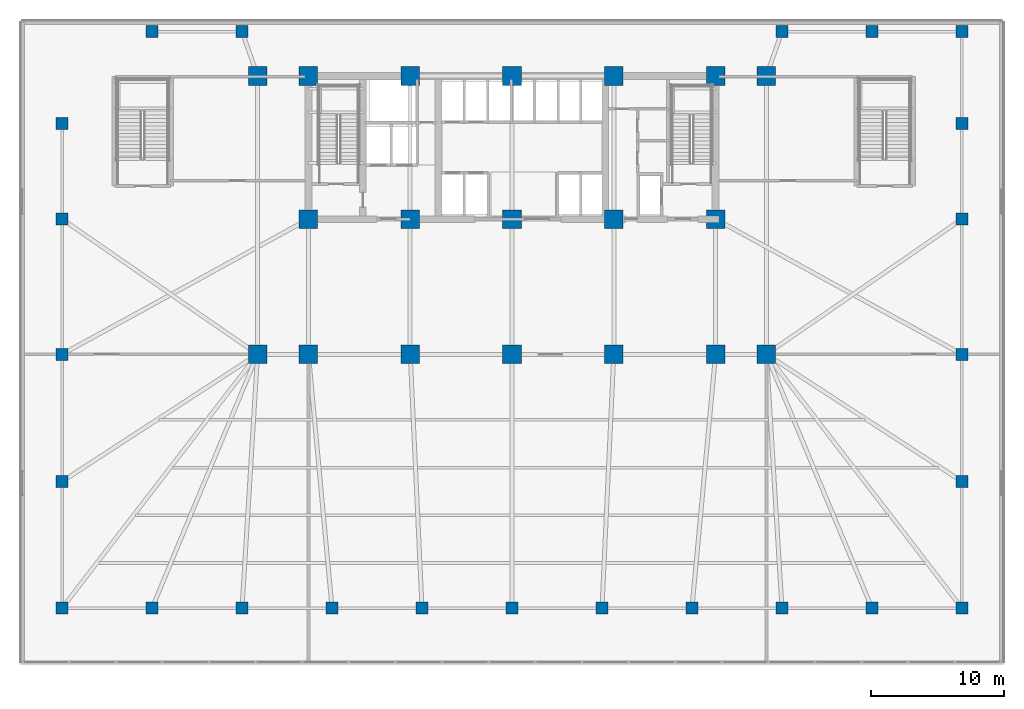
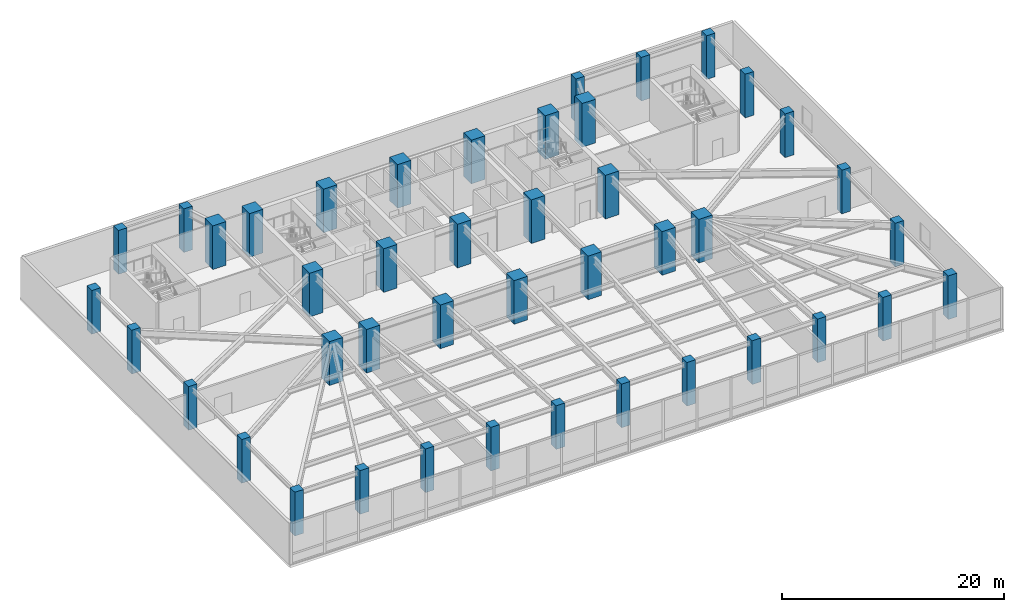
# One storey, part 1 of 19: 43 columns.
"""IFC4 building model written with IfcOpenShell, lengths in metres."""

from ifc_helpers import new_model, si_unit, direction, frame, origin, origin_2d, place, context, subcontext, project, spatial, rectangle, extrude, material, material_profile, profile_set, type_object, element, save


model = new_model("IFC4")

# Units and contexts
model_context = context("Model", 3, precision=1e-05, world=origin(), true_north=direction((0.0, 1.0)))
body_context = subcontext(model_context, "Body", "Model", "MODEL_VIEW")
ifc_project = project(units=[si_unit("LENGTHUNIT", "METRE"), si_unit("AREAUNIT", "SQUARE_METRE"), si_unit("VOLUMEUNIT", "CUBIC_METRE"), si_unit("PLANEANGLEUNIT", "RADIAN"), si_unit("MASSUNIT", "GRAM", prefix="KILO")], contexts=[model_context])

# Site, building, storey
site_placement = place(None, origin())
site = spatial("IfcSite", under=ifc_project, at=site_placement, CompositionType="ELEMENT")
building_placement = place(site_placement, origin())
building = spatial("IfcBuilding", under=site, at=building_placement, Name="Yelkora Congress Tower", CompositionType="ELEMENT")
storey_placement = place(building_placement, frame((0.0, 0.0, 15.60009765625)))
storey = spatial("IfcBuildingStorey", under=building, at=storey_placement, Name="L03", CompositionType="ELEMENT", Elevation=15.60009765625)

# Columns
ifc_material_1 = material(Name="Concrete C60/75", Category="concrete")
ifc_material_profile_1 = material_profile(ifc_material_1, rectangle(XDim=1.39990234375, YDim=1.39990234375, at=origin_2d()), Name="RC 1400x1400")
ifc_profile_set_1 = profile_set([ifc_material_profile_1], Name="Concrete C60/75")
column_type_1 = type_object("IfcColumnType", Name="COL-RC-1400", PredefinedType="COLUMN", material=ifc_profile_set_1)
for number, where, z_axis, x_axis, name in (
    (1, (23.0400390625, 35.39990234375, 0.0), (0.0, 0.0, 1.0), (1.0, 0.0, 0.0), "L03 Mega Column MC-S1"),
    (2, (23.0400390625, 46.199951171875, 0.0), (0.0, 0.0, 1.0), (1.0, 0.0, 0.0), "L03 Mega Column MC-N1"),
    (3, (23.0400390625, 25.199951171875, 0.0), (0.0, 0.0, 1.0), (1.0, 0.0, 0.0), "L03 Mega Column MC-D1"),
    (4, (30.719970703125, 35.39990234375, 0.0), (0.0, 0.0, 1.0), (1.0, 0.0, 0.0), "L03 Mega Column MC-S2"),
    (5, (30.719970703125, 46.199951171875, 0.0), (0.0, 0.0, 1.0), (1.0, 0.0, 0.0), "L03 Mega Column MC-N2"),
    (6, (30.719970703125, 25.199951171875, 0.0), (0.0, 0.0, 1.0), (1.0, 0.0, 0.0), "L03 Mega Column MC-D2"),
    (7, (38.39990234375, 35.39990234375, 0.0), (0.0, 0.0, 1.0), (1.0, 0.0, 0.0), "L03 Mega Column MC-S3"),
    (8, (38.39990234375, 46.199951171875, 0.0), (0.0, 0.0, 1.0), (1.0, 0.0, 0.0), "L03 Mega Column MC-N3"),
    (9, (38.39990234375, 25.199951171875, 0.0), (0.0, 0.0, 1.0), (1.0, 0.0, 0.0), "L03 Mega Column MC-D3"),
    (10, (46.080078125, 35.39990234375, 0.0), (0.0, 0.0, 1.0), (1.0, 0.0, 0.0), "L03 Mega Column MC-S4"),
    (11, (46.080078125, 46.199951171875, 0.0), (0.0, 0.0, 1.0), (1.0, 0.0, 0.0), "L03 Mega Column MC-N4"),
    (12, (46.080078125, 25.199951171875, 0.0), (0.0, 0.0, 1.0), (1.0, 0.0, 0.0), "L03 Mega Column MC-D4"),
    (13, (53.760009765625, 35.39990234375, 0.0), (0.0, 0.0, 1.0), (1.0, 0.0, 0.0), "L03 Mega Column MC-S5"),
    (14, (53.760009765625, 46.199951171875, 0.0), (0.0, 0.0, 1.0), (1.0, 0.0, 0.0), "L03 Mega Column MC-N5"),
    (15, (53.760009765625, 25.199951171875, 0.0), (0.0, 0.0, 1.0), (1.0, 0.0, 0.0), "L03 Mega Column MC-D5"),
    (16, (19.199951171875, 25.199951171875, 0.0), (0.0, 0.0, 1.0), (1.0, 0.0, 0.0), "L03 Mega Column MC-F1"),
    (17, (57.60009765625, 25.199951171875, 0.0), (0.0, 0.0, 1.0), (1.0, 0.0, 0.0), "L03 Mega Column MC-F2"),
    (18, (19.199951171875, 46.199951171875, 0.0), (0.0, 0.0, 1.0), (1.0, 0.0, 0.0), "L03 Mega Column MC-F3"),
    (19, (57.60009765625, 46.199951171875, 0.0), (0.0, 0.0, 1.0), (1.0, 0.0, 0.0), "L03 Mega Column MC-F4"),
):
    element("IfcColumn", number, at=place(storey_placement, frame(where, z_axis=z_axis, x_axis=x_axis)), inside=storey, type_object=column_type_1, Name=name, PredefinedType="COLUMN", context=body_context, shape_type="SweptSolid", body=[
        extrude(rectangle(XDim=1.39990234375, YDim=1.39990234375, at=origin_2d()), origin(), (0.0, 0.0, 1.0), 4.7998046875),
    ])
ifc_material_2 = material(Name="Concrete C50/60", Category="concrete")
ifc_material_profile_2 = material_profile(ifc_material_2, rectangle(XDim=0.89990234375, YDim=0.89990234375, at=origin_2d()), Name="RC 900x900")
ifc_profile_set_2 = profile_set([ifc_material_profile_2], Name="Concrete C50/60")
column_type_2 = type_object("IfcColumnType", Name="COL-RC-900", PredefinedType="COLUMN", material=ifc_profile_set_2)
for number, where, z_axis, x_axis, name in (
    (20, (4.449951171875, 6.050048828125, 0.0), (0.0, 0.0, 1.0), (1.0, 0.0, 0.0), "L03 Podium Column PS01"),
    (21, (11.239990234375, 6.050048828125, 0.0), (0.0, 0.0, 1.0), (1.0, 0.0, 0.0), "L03 Podium Column PS02"),
    (22, (11.239990234375, 49.550048828125, 0.0), (0.0, 0.0, 1.0), (1.0, 0.0, 0.0), "L03 Podium North Column PN02"),
    (23, (18.030029296875, 6.050048828125, 0.0), (0.0, 0.0, 1.0), (1.0, 0.0, 0.0), "L03 Podium Column PS03"),
    (24, (18.030029296875, 49.550048828125, 0.0), (0.0, 0.0, 1.0), (1.0, 0.0, 0.0), "L03 Podium North Column PN03"),
    (25, (24.820068359375, 6.050048828125, 0.0), (0.0, 0.0, 1.0), (1.0, 0.0, 0.0), "L03 Podium Column PS04"),
    (26, (31.610107421875, 6.050048828125, 0.0), (0.0, 0.0, 1.0), (1.0, 0.0, 0.0), "L03 Podium Column PS05"),
    (27, (38.39990234375, 6.050048828125, 0.0), (0.0, 0.0, 1.0), (1.0, 0.0, 0.0), "L03 Podium Column PS06"),
    (28, (45.18994140625, 6.050048828125, 0.0), (0.0, 0.0, 1.0), (1.0, 0.0, 0.0), "L03 Podium Column PS07"),
    (29, (51.97998046875, 6.050048828125, 0.0), (0.0, 0.0, 1.0), (1.0, 0.0, 0.0), "L03 Podium Column PS08"),
    (30, (58.77001953125, 6.050048828125, 0.0), (0.0, 0.0, 1.0), (1.0, 0.0, 0.0), "L03 Podium Column PS09"),
    (31, (58.77001953125, 49.550048828125, 0.0), (0.0, 0.0, 1.0), (1.0, 0.0, 0.0), "L03 Podium North Column PN09"),
    (32, (65.56005859375, 6.050048828125, 0.0), (0.0, 0.0, 1.0), (1.0, 0.0, 0.0), "L03 Podium Column PS10"),
    (33, (65.56005859375, 49.550048828125, 0.0), (0.0, 0.0, 1.0), (1.0, 0.0, 0.0), "L03 Podium North Column PN10"),
    (34, (72.35009765625, 6.050048828125, 0.0), (0.0, 0.0, 1.0), (1.0, 0.0, 0.0), "L03 Podium Column PS11"),
    (35, (72.35009765625, 49.550048828125, 0.0), (0.0, 0.0, 1.0), (1.0, 0.0, 0.0), "L03 Podium North Column PN11"),
    (36, (4.449951171875, 15.60009765625, 0.0), (0.0, 0.0, 1.0), (1.0, 0.0, 0.0), "L03 Podium Flank Column PW1"),
    (37, (72.35009765625, 15.60009765625, 0.0), (0.0, 0.0, 1.0), (1.0, 0.0, 0.0), "L03 Podium Flank Column PE1"),
    (38, (4.449951171875, 25.199951171875, 0.0), (0.0, 0.0, 1.0), (1.0, 0.0, 0.0), "L03 Podium Flank Column PW2"),
    (39, (72.35009765625, 25.199951171875, 0.0), (0.0, 0.0, 1.0), (1.0, 0.0, 0.0), "L03 Podium Flank Column PE2"),
    (40, (4.449951171875, 35.39990234375, 0.0), (0.0, 0.0, 1.0), (1.0, 0.0, 0.0), "L03 Podium Flank Column PW3"),
    (41, (72.35009765625, 35.39990234375, 0.0), (0.0, 0.0, 1.0), (1.0, 0.0, 0.0), "L03 Podium Flank Column PE3"),
    (42, (4.449951171875, 42.60009765625, 0.0), (0.0, 0.0, 1.0), (1.0, 0.0, 0.0), "L03 Podium Flank Column PW4"),
    (43, (72.35009765625, 42.60009765625, 0.0), (0.0, 0.0, 1.0), (1.0, 0.0, 0.0), "L03 Podium Flank Column PE4"),
):
    element("IfcColumn", number, at=place(storey_placement, frame(where, z_axis=z_axis, x_axis=x_axis)), inside=storey, type_object=column_type_2, Name=name, PredefinedType="COLUMN", context=body_context, shape_type="SweptSolid", body=[
        extrude(rectangle(XDim=0.89990234375, YDim=0.89990234375, at=origin_2d()), origin(), (0.0, 0.0, 1.0), 4.7998046875),
    ])

save(model, "model.ifc")
